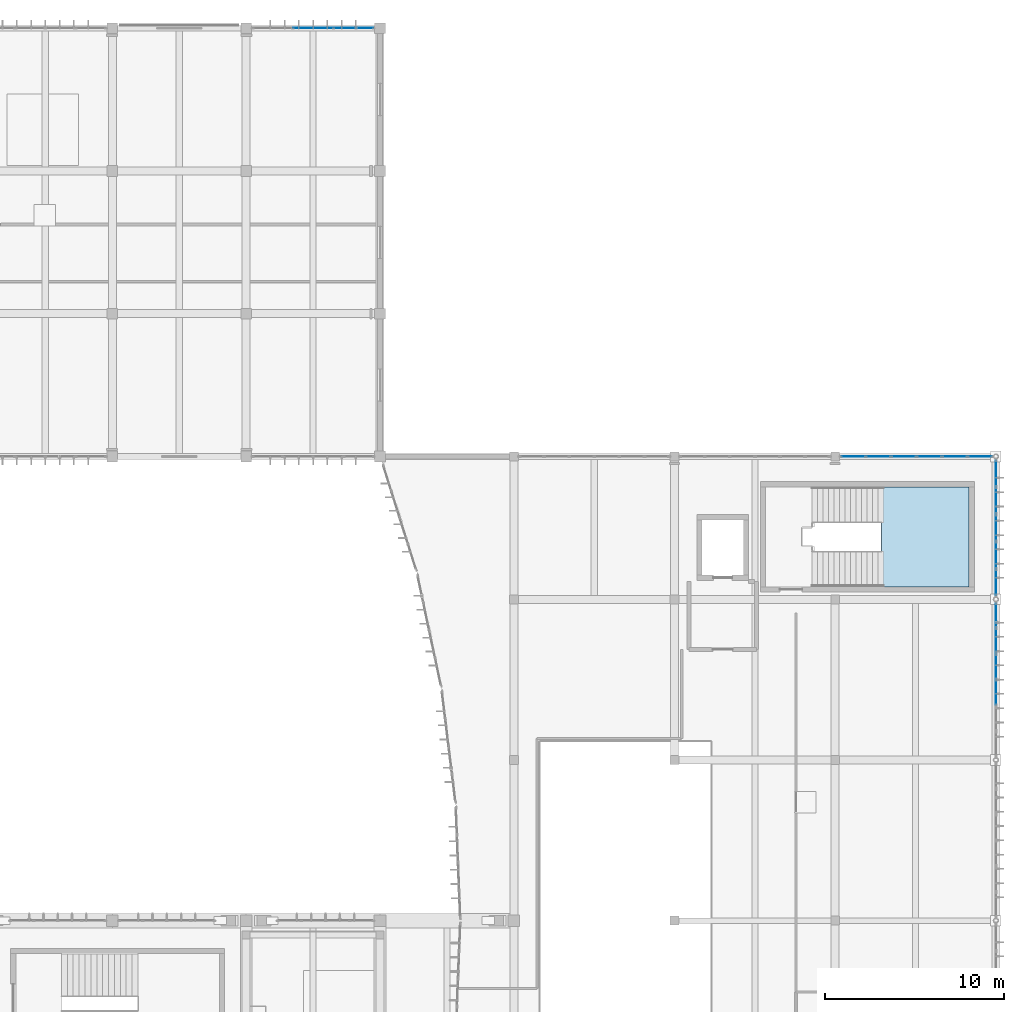
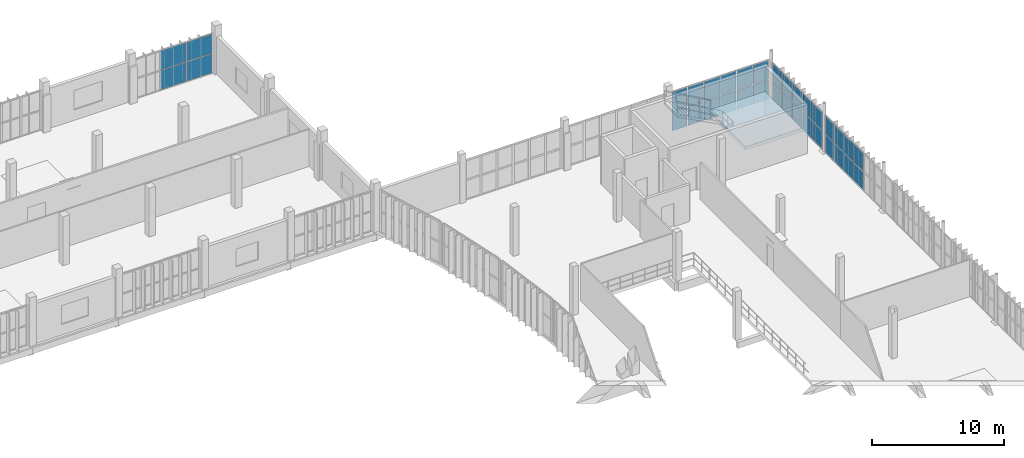
# One storey, part 48 of 81: 34 plates, 1 slab, 5 elements without a shape of their own.
"""IFC4 building model written with IfcOpenShell, lengths in metres."""

from ifc_helpers import new_model, si_unit, direction, frame, origin, origin_2d, place, context, subcontext, project, spatial, polyline, rectangle, outline, extrude, material, layer, layer_set, type_object, element, aggregate, save


model = new_model("IFC4")

# Units and contexts
model_context = context("Model", 3, precision=1e-05, world=origin(), true_north=direction((0.0, 1.0)))
body_context = subcontext(model_context, "Body", "Model", "MODEL_VIEW")
ifc_project = project(units=[si_unit("LENGTHUNIT", "METRE"), si_unit("AREAUNIT", "SQUARE_METRE"), si_unit("VOLUMEUNIT", "CUBIC_METRE"), si_unit("PLANEANGLEUNIT", "RADIAN"), si_unit("MASSUNIT", "GRAM", prefix="KILO")], contexts=[model_context])

# Site, building, storey
site_placement = place(None, origin())
site = spatial("IfcSite", under=ifc_project, at=site_placement, CompositionType="ELEMENT")
building_placement = place(site_placement, origin())
building = spatial("IfcBuilding", under=site, at=building_placement, Name="Vourika Railside Aquatics Centre", CompositionType="ELEMENT")
storey_placement = place(building_placement, frame((0.0, 0.0, 4.800048828125)))
storey = spatial("IfcBuildingStorey", under=building, at=storey_placement, Name="L01", CompositionType="ELEMENT", Elevation=4.800048828125)

# Curtain wall, plates
ifc_material_1 = material(Name="Anodized thermally broken aluminium", Category="aluminium")
curtain_wall_type_1 = type_object("IfcCurtainWallType", Name="CW-FIT1", PredefinedType="NOTDEFINED", material=ifc_material_1)
curtain_wall_1_placement = place(storey_placement, origin())
curtain_wall_1 = element("IfcCurtainWall", 1, at=curtain_wall_1_placement, inside=storey, type_object=curtain_wall_type_1, Name="North Boulevard Curtain Wall L01-15", PredefinedType="NOTDEFINED")
ifc_material_2 = material(Name="Low-E solar-control laminated double glazing", Category="glass")
ifc_layer_1 = layer(ifc_material_2, 0.02392578125, Name="CWP-FIT1")
ifc_layer_set_1 = layer_set([ifc_layer_1], Name="Low-E solar-control laminated double glazing")
plate_type_1 = type_object("IfcPlateType", Name="CWP-FIT1", PredefinedType="CURTAIN_PANEL", material=ifc_layer_set_1)
plate_1_placement = place(storey_placement, frame((132.014404296875, 116.0, 0.06201171875), z_axis=(0.0, 0.0, 1.0), x_axis=(-1.0, 0.0, 0.0)))
plate_1 = element("IfcPlate", 2, at=plate_1_placement, type_object=plate_type_1, Name="CW15 panel 1.1", PredefinedType="CURTAIN_PANEL", context=body_context, shape_type="SweptSolid", body=[
    extrude(rectangle(XDim=2.18701171875, YDim=0.02392578125, at=origin_2d()), origin(), (0.0, 0.0, 1.0), 1.757080078125),
])
plate_2_placement = place(storey_placement, frame((132.014404296875, 116.0, 1.880859375), z_axis=(0.0, 0.0, 1.0), x_axis=(-1.0, 0.0, 0.0)))
plate_2 = element("IfcPlate", 3, at=plate_2_placement, type_object=plate_type_1, Name="CW15 panel 1.2", PredefinedType="CURTAIN_PANEL", context=body_context, shape_type="SweptSolid", body=[
    extrude(rectangle(XDim=2.18701171875, YDim=0.02392578125, at=origin_2d()), origin(), (0.0, 0.0, 1.0), 1.757080078125),
])
plate_3_placement = place(storey_placement, frame((129.75, 116.0, 0.06201171875), z_axis=(0.0, 0.0, 1.0), x_axis=(-1.0, 0.0, 0.0)))
plate_3 = element("IfcPlate", 4, at=plate_3_placement, type_object=plate_type_1, Name="CW15 panel 2.1", PredefinedType="CURTAIN_PANEL", context=body_context, shape_type="SweptSolid", body=[
    extrude(rectangle(XDim=2.218017578125, YDim=0.02392578125, at=origin_2d()), origin(), (0.0, 0.0, 1.0), 1.757080078125),
])
plate_4_placement = place(storey_placement, frame((129.75, 116.0, 1.880859375), z_axis=(0.0, 0.0, 1.0), x_axis=(-1.0, 0.0, 0.0)))
plate_4 = element("IfcPlate", 5, at=plate_4_placement, type_object=plate_type_1, Name="CW15 panel 2.2", PredefinedType="CURTAIN_PANEL", context=body_context, shape_type="SweptSolid", body=[
    extrude(rectangle(XDim=2.218017578125, YDim=0.02392578125, at=origin_2d()), origin(), (0.0, 0.0, 1.0), 1.757080078125),
])
aggregate(curtain_wall_1, [plate_1, plate_2, plate_3, plate_4])

curtain_wall_type_2 = type_object("IfcCurtainWallType", Name="CW-FOYE", PredefinedType="NOTDEFINED", material=ifc_material_1)
curtain_wall_2_placement = place(storey_placement, origin())
curtain_wall_2 = element("IfcCurtainWall", 6, at=curtain_wall_2_placement, inside=storey, type_object=curtain_wall_type_2, Name="East Arrival Facade Curtain Wall L01-5", PredefinedType="NOTDEFINED")
ifc_layer_2 = layer(ifc_material_2, 0.031982421875, Name="CWP-FOYE")
ifc_layer_set_2 = layer_set([ifc_layer_2], Name="Low-E solar-control laminated double glazing")
plate_type_2 = type_object("IfcPlateType", Name="CWP-FOYE", PredefinedType="CURTAIN_PANEL", material=ifc_layer_set_2)
plate_5_placement = place(storey_placement, frame((168.0, 78.77783203125, 0.0751953125), z_axis=(0.0, 0.0, 1.0), x_axis=(0.0, 1.0, 0.0)))
plate_5 = element("IfcPlate", 7, at=plate_5_placement, type_object=plate_type_2, Name="CW10 panel 3.1", PredefinedType="CURTAIN_PANEL", context=body_context, shape_type="SweptSolid", body=[
    extrude(rectangle(XDim=1.369384765625, YDim=0.031982421875, at=origin_2d()), origin(), (0.0, 0.0, 1.0), 1.637451171875),
])
plate_6_placement = place(storey_placement, frame((168.0, 78.77783203125, 1.78759765625), z_axis=(0.0, 0.0, 1.0), x_axis=(0.0, 1.0, 0.0)))
plate_6 = element("IfcPlate", 8, at=plate_6_placement, type_object=plate_type_2, Name="CW10 panel 3.2", PredefinedType="CURTAIN_PANEL", context=body_context, shape_type="SweptSolid", body=[
    extrude(rectangle(XDim=1.369384765625, YDim=0.031982421875, at=origin_2d()), origin(), (0.0, 0.0, 1.0), 1.637451171875),
])
plate_7_placement = place(storey_placement, frame((168.0, 80.22216796875, 0.0751953125), z_axis=(0.0, 0.0, 1.0), x_axis=(0.0, 1.0, 0.0)))
plate_7 = element("IfcPlate", 9, at=plate_7_placement, type_object=plate_type_2, Name="CW10 panel 4.1", PredefinedType="CURTAIN_PANEL", context=body_context, shape_type="SweptSolid", body=[
    extrude(rectangle(XDim=1.369384765625, YDim=0.031982421875, at=origin_2d()), origin(), (0.0, 0.0, 1.0), 1.637451171875),
])
plate_8_placement = place(storey_placement, frame((168.0, 80.22216796875, 1.78759765625), z_axis=(0.0, 0.0, 1.0), x_axis=(0.0, 1.0, 0.0)))
plate_8 = element("IfcPlate", 10, at=plate_8_placement, type_object=plate_type_2, Name="CW10 panel 4.2", PredefinedType="CURTAIN_PANEL", context=body_context, shape_type="SweptSolid", body=[
    extrude(rectangle(XDim=1.369384765625, YDim=0.031982421875, at=origin_2d()), origin(), (0.0, 0.0, 1.0), 1.637451171875),
])
plate_9_placement = place(storey_placement, frame((168.0, 81.666748046875, 0.0751953125), z_axis=(0.0, 0.0, 1.0), x_axis=(0.0, 1.0, 0.0)))
plate_9 = element("IfcPlate", 11, at=plate_9_placement, type_object=plate_type_2, Name="CW10 panel 5.1", PredefinedType="CURTAIN_PANEL", context=body_context, shape_type="SweptSolid", body=[
    extrude(rectangle(XDim=1.369384765625, YDim=0.031982421875, at=origin_2d()), origin(), (0.0, 0.0, 1.0), 1.637451171875),
])
plate_10_placement = place(storey_placement, frame((168.0, 81.666748046875, 1.78759765625), z_axis=(0.0, 0.0, 1.0), x_axis=(0.0, 1.0, 0.0)))
plate_10 = element("IfcPlate", 12, at=plate_10_placement, type_object=plate_type_2, Name="CW10 panel 5.2", PredefinedType="CURTAIN_PANEL", context=body_context, shape_type="SweptSolid", body=[
    extrude(rectangle(XDim=1.369384765625, YDim=0.031982421875, at=origin_2d()), origin(), (0.0, 0.0, 1.0), 1.637451171875),
])
plate_11_placement = place(storey_placement, frame((168.0, 83.092529296875, 0.0751953125), z_axis=(0.0, 0.0, 1.0), x_axis=(0.0, 1.0, 0.0)))
plate_11 = element("IfcPlate", 13, at=plate_11_placement, type_object=plate_type_2, Name="CW10 panel 6.1", PredefinedType="CURTAIN_PANEL", context=body_context, shape_type="SweptSolid", body=[
    extrude(rectangle(XDim=1.33203125, YDim=0.031982421875, at=origin_2d()), origin(), (0.0, 0.0, 1.0), 1.637451171875),
])
plate_12_placement = place(storey_placement, frame((168.0, 83.092529296875, 1.78759765625), z_axis=(0.0, 0.0, 1.0), x_axis=(0.0, 1.0, 0.0)))
plate_12 = element("IfcPlate", 14, at=plate_12_placement, type_object=plate_type_2, Name="CW10 panel 6.2", PredefinedType="CURTAIN_PANEL", context=body_context, shape_type="SweptSolid", body=[
    extrude(rectangle(XDim=1.33203125, YDim=0.031982421875, at=origin_2d()), origin(), (0.0, 0.0, 1.0), 1.637451171875),
])
aggregate(curtain_wall_2, [plate_5, plate_6, plate_7, plate_8, plate_9, plate_10, plate_11, plate_12])

curtain_wall_3_placement = place(storey_placement, origin())
curtain_wall_3 = element("IfcCurtainWall", 15, at=curtain_wall_3_placement, inside=storey, type_object=curtain_wall_type_2, Name="East Arrival Facade Curtain Wall L01-6", PredefinedType="NOTDEFINED")
plate_13_placement = place(storey_placement, frame((168.0, 84.951904296875, 0.0751953125), z_axis=(0.0, 0.0, 1.0), x_axis=(0.0, 1.0, 0.0)))
plate_13 = element("IfcPlate", 16, at=plate_13_placement, type_object=plate_type_2, Name="CW10 panel 1.1", PredefinedType="CURTAIN_PANEL", context=body_context, shape_type="SweptSolid", body=[
    extrude(rectangle(XDim=1.4208984375, YDim=0.031982421875, at=origin_2d()), origin(), (0.0, 0.0, 1.0), 1.637451171875),
])
plate_14_placement = place(storey_placement, frame((168.0, 84.951904296875, 1.78759765625), z_axis=(0.0, 0.0, 1.0), x_axis=(0.0, 1.0, 0.0)))
plate_14 = element("IfcPlate", 17, at=plate_14_placement, type_object=plate_type_2, Name="CW10 panel 1.2", PredefinedType="CURTAIN_PANEL", context=body_context, shape_type="SweptSolid", body=[
    extrude(rectangle(XDim=1.4208984375, YDim=0.031982421875, at=origin_2d()), origin(), (0.0, 0.0, 1.0), 1.637451171875),
])
plate_15_placement = place(storey_placement, frame((168.0, 86.466552734375, 0.0751953125), z_axis=(0.0, 0.0, 1.0), x_axis=(0.0, 1.0, 0.0)))
plate_15 = element("IfcPlate", 18, at=plate_15_placement, type_object=plate_type_2, Name="CW10 panel 2.1", PredefinedType="CURTAIN_PANEL", context=body_context, shape_type="SweptSolid", body=[
    extrude(rectangle(XDim=1.45849609375, YDim=0.031982421875, at=origin_2d()), origin(), (0.0, 0.0, 1.0), 1.637451171875),
])
plate_16_placement = place(storey_placement, frame((168.0, 86.466552734375, 1.78759765625), z_axis=(0.0, 0.0, 1.0), x_axis=(0.0, 1.0, 0.0)))
plate_16 = element("IfcPlate", 19, at=plate_16_placement, type_object=plate_type_2, Name="CW10 panel 2.2", PredefinedType="CURTAIN_PANEL", context=body_context, shape_type="SweptSolid", body=[
    extrude(rectangle(XDim=1.45849609375, YDim=0.031982421875, at=origin_2d()), origin(), (0.0, 0.0, 1.0), 1.637451171875),
])
plate_17_placement = place(storey_placement, frame((168.0, 88.0, 0.0751953125), z_axis=(0.0, 0.0, 1.0), x_axis=(0.0, 1.0, 0.0)))
plate_17 = element("IfcPlate", 20, at=plate_17_placement, type_object=plate_type_2, Name="CW10 panel 3.1", PredefinedType="CURTAIN_PANEL", context=body_context, shape_type="SweptSolid", body=[
    extrude(rectangle(XDim=1.45849609375, YDim=0.031982421875, at=origin_2d()), origin(), (0.0, 0.0, 1.0), 1.637451171875),
])
plate_18_placement = place(storey_placement, frame((168.0, 88.0, 1.78759765625), z_axis=(0.0, 0.0, 1.0), x_axis=(0.0, 1.0, 0.0)))
plate_18 = element("IfcPlate", 21, at=plate_18_placement, type_object=plate_type_2, Name="CW10 panel 3.2", PredefinedType="CURTAIN_PANEL", context=body_context, shape_type="SweptSolid", body=[
    extrude(rectangle(XDim=1.45849609375, YDim=0.031982421875, at=origin_2d()), origin(), (0.0, 0.0, 1.0), 1.637451171875),
])
plate_19_placement = place(storey_placement, frame((168.0, 89.533447265625, 0.0751953125), z_axis=(0.0, 0.0, 1.0), x_axis=(0.0, 1.0, 0.0)))
plate_19 = element("IfcPlate", 22, at=plate_19_placement, type_object=plate_type_2, Name="CW10 panel 4.1", PredefinedType="CURTAIN_PANEL", context=body_context, shape_type="SweptSolid", body=[
    extrude(rectangle(XDim=1.45849609375, YDim=0.031982421875, at=origin_2d()), origin(), (0.0, 0.0, 1.0), 1.637451171875),
])
plate_20_placement = place(storey_placement, frame((168.0, 89.533447265625, 1.78759765625), z_axis=(0.0, 0.0, 1.0), x_axis=(0.0, 1.0, 0.0)))
plate_20 = element("IfcPlate", 23, at=plate_20_placement, type_object=plate_type_2, Name="CW10 panel 4.2", PredefinedType="CURTAIN_PANEL", context=body_context, shape_type="SweptSolid", body=[
    extrude(rectangle(XDim=1.45849609375, YDim=0.031982421875, at=origin_2d()), origin(), (0.0, 0.0, 1.0), 1.637451171875),
])
plate_21_placement = place(storey_placement, frame((168.0, 91.048095703125, 0.0751953125), z_axis=(0.0, 0.0, 1.0), x_axis=(0.0, 1.0, 0.0)))
plate_21 = element("IfcPlate", 24, at=plate_21_placement, type_object=plate_type_2, Name="CW10 panel 5.1", PredefinedType="CURTAIN_PANEL", context=body_context, shape_type="SweptSolid", body=[
    extrude(rectangle(XDim=1.4208984375, YDim=0.031982421875, at=origin_2d()), origin(), (0.0, 0.0, 1.0), 1.637451171875),
])
plate_22_placement = place(storey_placement, frame((168.0, 91.048095703125, 1.78759765625), z_axis=(0.0, 0.0, 1.0), x_axis=(0.0, 1.0, 0.0)))
plate_22 = element("IfcPlate", 25, at=plate_22_placement, type_object=plate_type_2, Name="CW10 panel 5.2", PredefinedType="CURTAIN_PANEL", context=body_context, shape_type="SweptSolid", body=[
    extrude(rectangle(XDim=1.4208984375, YDim=0.031982421875, at=origin_2d()), origin(), (0.0, 0.0, 1.0), 1.637451171875),
])
aggregate(curtain_wall_3, [plate_13, plate_14, plate_15, plate_16, plate_17, plate_18, plate_19, plate_20, plate_21, plate_22])

curtain_wall_type_3 = type_object("IfcCurtainWallType", Name="CW-FOYS", PredefinedType="NOTDEFINED", material=ifc_material_1)
curtain_wall_4_placement = place(storey_placement, origin())
curtain_wall_4 = element("IfcCurtainWall", 26, at=curtain_wall_4_placement, inside=storey, type_object=curtain_wall_type_3, Name="Foyer North Glazed Facade L01-3", PredefinedType="NOTDEFINED")
ifc_layer_3 = layer(ifc_material_2, 0.031982421875, Name="CWP-FOYS")
ifc_layer_set_3 = layer_set([ifc_layer_3], Name="Low-E solar-control laminated double glazing")
plate_type_3 = type_object("IfcPlateType", Name="CWP-FOYS", PredefinedType="CURTAIN_PANEL", material=ifc_layer_set_3)
plate_23_placement = place(storey_placement, frame((167.102783203125, 92.0, 0.07177734375), z_axis=(0.0, 0.0, 1.0), x_axis=(-1.0, 0.0, 0.0)))
plate_23 = element("IfcPlate", 27, at=plate_23_placement, type_object=plate_type_3, Name="CW11 panel 1.1", PredefinedType="CURTAIN_PANEL", context=body_context, shape_type="SweptSolid", body=[
    extrude(rectangle(XDim=1.317626953125, YDim=0.031982421875, at=origin_2d()), origin(), (0.0, 0.0, 1.0), 1.741943359375),
])
plate_24_placement = place(storey_placement, frame((167.102783203125, 92.0, 1.8857421875), z_axis=(0.0, 0.0, 1.0), x_axis=(-1.0, 0.0, 0.0)))
plate_24 = element("IfcPlate", 28, at=plate_24_placement, type_object=plate_type_3, Name="CW11 panel 1.2", PredefinedType="CURTAIN_PANEL", context=body_context, shape_type="SweptSolid", body=[
    extrude(rectangle(XDim=1.317626953125, YDim=0.031982421875, at=origin_2d()), origin(), (0.0, 0.0, 1.0), 1.741943359375),
])
plate_25_placement = place(storey_placement, frame((165.695068359375, 92.0, 0.07177734375), z_axis=(0.0, 0.0, 1.0), x_axis=(-1.0, 0.0, 0.0)))
plate_25 = element("IfcPlate", 29, at=plate_25_placement, type_object=plate_type_3, Name="CW11 panel 2.1", PredefinedType="CURTAIN_PANEL", context=body_context, shape_type="SweptSolid", body=[
    extrude(rectangle(XDim=1.353515625, YDim=0.031982421875, at=origin_2d()), origin(), (0.0, 0.0, 1.0), 1.741943359375),
])
plate_26_placement = place(storey_placement, frame((165.695068359375, 92.0, 1.8857421875), z_axis=(0.0, 0.0, 1.0), x_axis=(-1.0, 0.0, 0.0)))
plate_26 = element("IfcPlate", 30, at=plate_26_placement, type_object=plate_type_3, Name="CW11 panel 2.2", PredefinedType="CURTAIN_PANEL", context=body_context, shape_type="SweptSolid", body=[
    extrude(rectangle(XDim=1.353515625, YDim=0.031982421875, at=origin_2d()), origin(), (0.0, 0.0, 1.0), 1.741943359375),
])
plate_27_placement = place(storey_placement, frame((164.26953125, 92.0, 0.07177734375), z_axis=(0.0, 0.0, 1.0), x_axis=(-1.0, 0.0, 0.0)))
plate_27 = element("IfcPlate", 31, at=plate_27_placement, type_object=plate_type_3, Name="CW11 panel 3.1", PredefinedType="CURTAIN_PANEL", context=body_context, shape_type="SweptSolid", body=[
    extrude(rectangle(XDim=1.353515625, YDim=0.031982421875, at=origin_2d()), origin(), (0.0, 0.0, 1.0), 1.741943359375),
])
plate_28_placement = place(storey_placement, frame((164.26953125, 92.0, 1.8857421875), z_axis=(0.0, 0.0, 1.0), x_axis=(-1.0, 0.0, 0.0)))
plate_28 = element("IfcPlate", 32, at=plate_28_placement, type_object=plate_type_3, Name="CW11 panel 3.2", PredefinedType="CURTAIN_PANEL", context=body_context, shape_type="SweptSolid", body=[
    extrude(rectangle(XDim=1.353515625, YDim=0.031982421875, at=origin_2d()), origin(), (0.0, 0.0, 1.0), 1.741943359375),
])
plate_29_placement = place(storey_placement, frame((162.843994140625, 92.0, 0.07177734375), z_axis=(0.0, 0.0, 1.0), x_axis=(-1.0, 0.0, 0.0)))
plate_29 = element("IfcPlate", 33, at=plate_29_placement, type_object=plate_type_3, Name="CW11 panel 4.1", PredefinedType="CURTAIN_PANEL", context=body_context, shape_type="SweptSolid", body=[
    extrude(rectangle(XDim=1.353515625, YDim=0.031982421875, at=origin_2d()), origin(), (0.0, 0.0, 1.0), 1.741943359375),
])
plate_30_placement = place(storey_placement, frame((162.843994140625, 92.0, 1.8857421875), z_axis=(0.0, 0.0, 1.0), x_axis=(-1.0, 0.0, 0.0)))
plate_30 = element("IfcPlate", 34, at=plate_30_placement, type_object=plate_type_3, Name="CW11 panel 4.2", PredefinedType="CURTAIN_PANEL", context=body_context, shape_type="SweptSolid", body=[
    extrude(rectangle(XDim=1.353515625, YDim=0.031982421875, at=origin_2d()), origin(), (0.0, 0.0, 1.0), 1.741943359375),
])
plate_31_placement = place(storey_placement, frame((161.41845703125, 92.0, 0.07177734375), z_axis=(0.0, 0.0, 1.0), x_axis=(-1.0, 0.0, 0.0)))
plate_31 = element("IfcPlate", 35, at=plate_31_placement, type_object=plate_type_3, Name="CW11 panel 5.1", PredefinedType="CURTAIN_PANEL", context=body_context, shape_type="SweptSolid", body=[
    extrude(rectangle(XDim=1.353515625, YDim=0.031982421875, at=origin_2d()), origin(), (0.0, 0.0, 1.0), 1.741943359375),
])
plate_32_placement = place(storey_placement, frame((161.41845703125, 92.0, 1.8857421875), z_axis=(0.0, 0.0, 1.0), x_axis=(-1.0, 0.0, 0.0)))
plate_32 = element("IfcPlate", 36, at=plate_32_placement, type_object=plate_type_3, Name="CW11 panel 5.2", PredefinedType="CURTAIN_PANEL", context=body_context, shape_type="SweptSolid", body=[
    extrude(rectangle(XDim=1.353515625, YDim=0.031982421875, at=origin_2d()), origin(), (0.0, 0.0, 1.0), 1.741943359375),
])
plate_33_placement = place(storey_placement, frame((160.0107421875, 92.0, 0.07177734375), z_axis=(0.0, 0.0, 1.0), x_axis=(-1.0, 0.0, 0.0)))
plate_33 = element("IfcPlate", 37, at=plate_33_placement, type_object=plate_type_3, Name="CW11 panel 6.1", PredefinedType="CURTAIN_PANEL", context=body_context, shape_type="SweptSolid", body=[
    extrude(rectangle(XDim=1.317626953125, YDim=0.031982421875, at=origin_2d()), origin(), (0.0, 0.0, 1.0), 1.741943359375),
])
plate_34_placement = place(storey_placement, frame((160.0107421875, 92.0, 1.8857421875), z_axis=(0.0, 0.0, 1.0), x_axis=(-1.0, 0.0, 0.0)))
plate_34 = element("IfcPlate", 38, at=plate_34_placement, type_object=plate_type_3, Name="CW11 panel 6.2", PredefinedType="CURTAIN_PANEL", context=body_context, shape_type="SweptSolid", body=[
    extrude(rectangle(XDim=1.317626953125, YDim=0.031982421875, at=origin_2d()), origin(), (0.0, 0.0, 1.0), 1.741943359375),
])
aggregate(curtain_wall_4, [plate_23, plate_24, plate_25, plate_26, plate_27, plate_28, plate_29, plate_30, plate_31, plate_32, plate_33, plate_34])

# Stair, slab
ifc_material_3 = material(Name="Concrete C35/45", Category="concrete")
stair_type = type_object("IfcStairType", Name="STR-CORE-L01", PredefinedType="TWO_STRAIGHT_RUN_STAIR", material=ifc_material_3)
stair_placement = place(storey_placement, origin())
stair = element("IfcStair", 39, at=stair_placement, inside=storey, type_object=stair_type, Name="Protected Exit Stair Core ST05 (L01)", PredefinedType="TWO_STRAIGHT_RUN_STAIR")
ifc_layer_4 = layer(ifc_material_3, 0.31005859375, Name="SLB-LND-310")
ifc_layer_set_4 = layer_set([ifc_layer_4], Name="Concrete C35/45")
slab_type = type_object("IfcSlabType", Name="SLB-LND-310", PredefinedType="LANDING", material=ifc_layer_set_4)
slab_placement = place(storey_placement, frame((0.0, 0.0, 1.93994140625)))
slab = element("IfcSlab", 40, at=slab_placement, type_object=slab_type, Name="STC-L01 landing 1", PredefinedType="LANDING", context=body_context, shape_type="SweptSolid", body=[
    extrude(outline(polyline([(161.56396484375, 84.699951171875), (166.5, 84.699951171875), (166.5, 90.300048828125), (161.56396484375, 90.300048828125), (161.56396484375, 84.699951171875)])), origin(), (0.0, 0.0, 1.0), 0.31005859375),
])
aggregate(stair, [slab])

save(model, "model.ifc")
